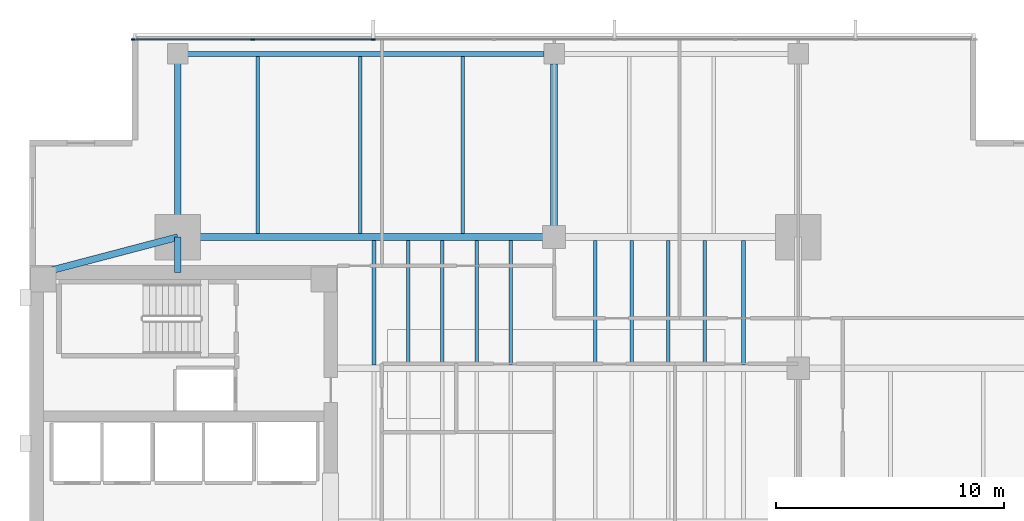
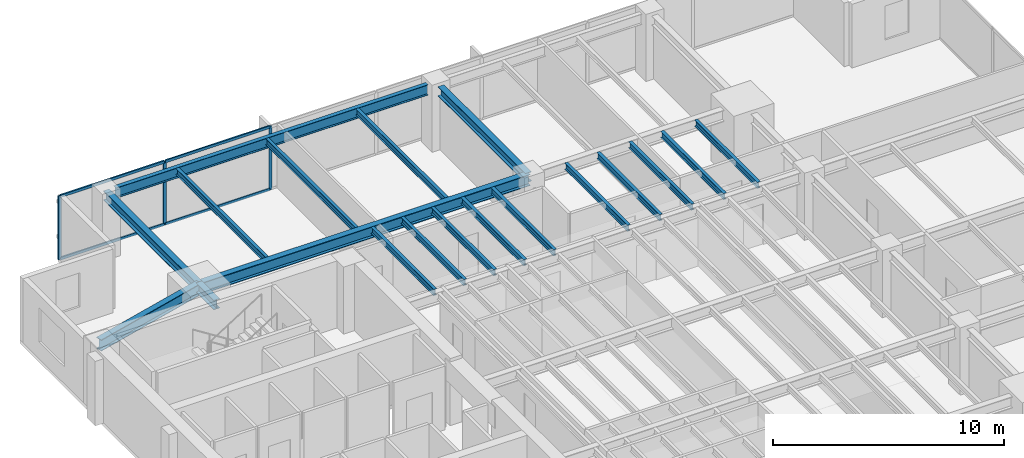
# One storey, part 5 of 14: 19 beams, 7 members, 1 element without a shape of its own.
"""IFC4 building model written with IfcOpenShell, lengths in metres."""

from ifc_helpers import new_model, si_unit, direction, frame, origin, origin_2d, place, context, subcontext, project, spatial, rectangle, i_section, extrude, material, layer, layer_set, material_profile, profile_set, type_object, element, aggregate, save


model = new_model("IFC4")

# Units and contexts
model_context = context("Model", 3, precision=1e-05, world=origin(), true_north=direction((0.0, 1.0)))
body_context = subcontext(model_context, "Body", "Model", "MODEL_VIEW")
ifc_project = project(units=[si_unit("LENGTHUNIT", "METRE"), si_unit("AREAUNIT", "SQUARE_METRE"), si_unit("VOLUMEUNIT", "CUBIC_METRE"), si_unit("PLANEANGLEUNIT", "RADIAN"), si_unit("MASSUNIT", "GRAM", prefix="KILO")], contexts=[model_context])

# Site, building, storey
site_placement = place(None, origin())
site = spatial("IfcSite", under=ifc_project, at=site_placement, CompositionType="ELEMENT")
building_placement = place(site_placement, origin())
building = spatial("IfcBuilding", under=site, at=building_placement, Name="Kinhvarn Gate Tower", CompositionType="ELEMENT")
storey_placement = place(building_placement, frame((0.0, 0.0, 120.0)))
storey = spatial("IfcBuildingStorey", under=building, at=storey_placement, Name="L31", CompositionType="ELEMENT", Elevation=120.0)

# Curtain wall, members
ifc_material_1 = material(Name="Anodised aluminium AW-6063", Category="aluminium")
ifc_layer = layer(ifc_material_1, 0.179931640625)
ifc_layer_set = layer_set([ifc_layer], Name="Anodised aluminium AW-6063")
curtain_wall_type = type_object("IfcCurtainWallType", Name="CW-SYS-3", PredefinedType="NOTDEFINED", material=ifc_layer_set)
curtain_wall_placement = place(storey_placement, origin())
curtain_wall = element("IfcCurtainWall", 1, at=curtain_wall_placement, inside=storey, type_object=curtain_wall_type, Name="Curtain Wall CW3 (L31)", PredefinedType="NOTDEFINED")
ifc_material_profile_1 = material_profile(ifc_material_1, rectangle(XDim=0.06494140625, YDim=0.159912109375, at=origin_2d()), Name="ALU 65x160")
ifc_profile_set_1 = profile_set([ifc_material_profile_1], Name="Anodised aluminium AW-6063")
member_type_1 = type_object("IfcMemberType", Name="CW-MUL-160", PredefinedType="MULLION", material=ifc_profile_set_1)
member_1_placement = place(storey_placement, frame((19.571533203125, 46.409912109375, 0.0), z_axis=(0.0, 0.0, 1.0), x_axis=(0.0, -1.0, 0.0)))
member_1 = element("IfcMember", 2, at=member_1_placement, type_object=member_type_1, Name="CW3 mullion 6", PredefinedType="MULLION", context=body_context, shape_type="SweptSolid", body=[
    extrude(rectangle(XDim=0.06494140625, YDim=0.159912109375, at=origin_2d()), origin(), (0.0, 0.0, 1.0), 3.3701171875),
])
member_2_placement = place(storey_placement, frame((14.28564453125, 46.409912109375, 0.0), z_axis=(0.0, 0.0, 1.0), x_axis=(0.0, -1.0, 0.0)))
member_2 = element("IfcMember", 3, at=member_2_placement, type_object=member_type_1, Name="CW3 mullion 7", PredefinedType="MULLION", context=body_context, shape_type="SweptSolid", body=[
    extrude(rectangle(XDim=0.06494140625, YDim=0.159912109375, at=origin_2d()), origin(), (0.0, 0.0, 1.0), 3.3701171875),
])
member_3_placement = place(storey_placement, frame((9.032470703125, 46.409912109375, 0.0), z_axis=(0.0, 0.0, 1.0), x_axis=(0.0, -1.0, 0.0)))
member_3 = element("IfcMember", 4, at=member_3_placement, type_object=member_type_1, Name="CW3 mullion 8", PredefinedType="MULLION", context=body_context, shape_type="SweptSolid", body=[
    extrude(rectangle(XDim=0.06494140625, YDim=0.159912109375, at=origin_2d()), origin(), (0.0, 0.0, 1.0), 3.3701171875),
])
ifc_material_profile_2 = material_profile(ifc_material_1, rectangle(XDim=0.070068359375, YDim=0.139892578125, at=origin_2d()), Name="ALU 70x140")
ifc_profile_set_2 = profile_set([ifc_material_profile_2], Name="Anodised aluminium AW-6063")
member_type_2 = type_object("IfcMemberType", Name="CW-TRN-140", PredefinedType="USERDEFINED", material=ifc_profile_set_2)
member_4_placement = place(storey_placement, frame((19.538818359375, 46.409912109375, 0.034912109375), z_axis=(-1.0, 0.0, 0.0), x_axis=(0.0, -1.0, 0.0)))
member_4 = element("IfcMember", 5, at=member_4_placement, type_object=member_type_2, Name="CW3 transom 6.1", ObjectType="TRANSOM", PredefinedType="USERDEFINED", context=body_context, shape_type="SweptSolid", body=[
    extrude(rectangle(XDim=0.070068359375, YDim=0.139892578125, at=origin_2d()), origin(), (0.0, 0.0, 1.0), 5.220703125),
])
member_5_placement = place(storey_placement, frame((19.538818359375, 46.409912109375, 3.3349609375), z_axis=(-1.0, 0.0, 0.0), x_axis=(0.0, -1.0, 0.0)))
member_5 = element("IfcMember", 6, at=member_5_placement, type_object=member_type_2, Name="CW3 transom 6.2", ObjectType="TRANSOM", PredefinedType="USERDEFINED", context=body_context, shape_type="SweptSolid", body=[
    extrude(rectangle(XDim=0.070068359375, YDim=0.139892578125, at=origin_2d()), origin(), (0.0, 0.0, 1.0), 5.220703125),
])
member_6_placement = place(storey_placement, frame((14.253173828125, 46.409912109375, 0.034912109375), z_axis=(-1.0, 0.0, 0.0), x_axis=(0.0, -1.0, 0.0)))
member_6 = element("IfcMember", 7, at=member_6_placement, type_object=member_type_2, Name="CW3 transom 7.1", ObjectType="TRANSOM", PredefinedType="USERDEFINED", context=body_context, shape_type="SweptSolid", body=[
    extrude(rectangle(XDim=0.070068359375, YDim=0.139892578125, at=origin_2d()), origin(), (0.0, 0.0, 1.0), 5.188232421875),
])
member_7_placement = place(storey_placement, frame((14.253173828125, 46.409912109375, 3.3349609375), z_axis=(-1.0, 0.0, 0.0), x_axis=(0.0, -1.0, 0.0)))
member_7 = element("IfcMember", 8, at=member_7_placement, type_object=member_type_2, Name="CW3 transom 7.2", ObjectType="TRANSOM", PredefinedType="USERDEFINED", context=body_context, shape_type="SweptSolid", body=[
    extrude(rectangle(XDim=0.070068359375, YDim=0.139892578125, at=origin_2d()), origin(), (0.0, 0.0, 1.0), 5.188232421875),
])
aggregate(curtain_wall, [member_1, member_2, member_3, member_4, member_5, member_6, member_7])

# Beams
ifc_material_2 = material(Name="Steel S355", Category="steel")
ifc_material_profile_3 = material_profile(ifc_material_2, i_section(OverallWidth=0.300048828125, OverallDepth=0.5, WebThickness=0.014404296875, FlangeThickness=0.028076171875, at=origin_2d()), Name="HEB 500")
ifc_profile_set_3 = profile_set([ifc_material_profile_3], Name="Steel S355")
beam_type_1 = type_object("IfcBeamType", Name="STL-HEB500", PredefinedType="BEAM", material=ifc_profile_set_3)
beam_1_placement = place(storey_placement, frame((11.0, 36.199951171875, 3.1201171875), z_axis=(0.0, 1.0, 0.0), x_axis=(-1.0, 0.0, 0.0)))
element("IfcBeam", 9, at=beam_1_placement, inside=storey, type_object=beam_type_1, Name="Floor Beam PG-14 (L31 MCW-CN)", PredefinedType="BEAM", context=body_context, shape_type="SweptSolid", body=[
    extrude(i_section(OverallWidth=0.300048828125, OverallDepth=0.5, WebThickness=0.014404296875, FlangeThickness=0.028076171875, at=origin_2d()), origin(), (0.0, 0.0, 1.0), 1.550048828125),
])
beam_2_placement = place(storey_placement, frame((11.0, 37.75, 3.1201171875), z_axis=(0.0, 1.0, 0.0), x_axis=(-1.0, 0.0, 0.0)))
element("IfcBeam", 10, at=beam_2_placement, inside=storey, type_object=beam_type_1, Name="Floor Beam PG-14 (L31 MCW-N)", PredefinedType="BEAM", context=body_context, shape_type="SweptSolid", body=[
    extrude(i_section(OverallWidth=0.300048828125, OverallDepth=0.5, WebThickness=0.014404296875, FlangeThickness=0.028076171875, at=origin_2d()), origin(), (0.0, 0.0, 1.0), 8.030029296875),
])
beam_3_placement = place(storey_placement, frame((27.5, 37.75, 3.1201171875), z_axis=(0.0, 1.0, 0.0), x_axis=(-1.0, 0.0, 0.0)))
element("IfcBeam", 11, at=beam_3_placement, inside=storey, type_object=beam_type_1, Name="Floor Beam PG-14 (L31 SP27-N-TIE)", PredefinedType="BEAM", context=body_context, shape_type="SweptSolid", body=[
    extrude(i_section(OverallWidth=0.300048828125, OverallDepth=0.5, WebThickness=0.014404296875, FlangeThickness=0.028076171875, at=origin_2d()), origin(), (0.0, 0.0, 1.0), 7.594970703125),
])
ifc_material_profile_4 = material_profile(ifc_material_2, i_section(OverallWidth=0.300048828125, OverallDepth=0.60009765625, WebThickness=0.015380859375, FlangeThickness=0.030029296875, at=origin_2d()), Name="HEB 600")
ifc_profile_set_4 = profile_set([ifc_material_profile_4], Name="Steel S355")
beam_type_2 = type_object("IfcBeamType", Name="STL-HEB600", PredefinedType="BEAM", material=ifc_profile_set_4)
beam_4_placement = place(storey_placement, frame((11.0, 37.75, 3.070068359375), z_axis=(1.0, 0.0, 0.0), x_axis=(0.0, 1.0, 0.0)))
element("IfcBeam", 12, at=beam_4_placement, inside=storey, type_object=beam_type_2, Name="Floor Beam PG-16 (L31 MG-N1)", PredefinedType="BEAM", context=body_context, shape_type="SweptSolid", body=[
    extrude(i_section(OverallWidth=0.300048828125, OverallDepth=0.60009765625, WebThickness=0.015380859375, FlangeThickness=0.030029296875, at=origin_2d()), origin(), (0.0, 0.0, 1.0), 16.5),
])
beam_5_placement = place(storey_placement, frame((5.10009765625, 36.199951171875, 3.070068359375), z_axis=(0.967177623957, 0.254101246979, 0.0), x_axis=(-0.254101246979, 0.967177623957, 0.0)))
element("IfcBeam", 13, at=beam_5_placement, inside=storey, type_object=beam_type_2, Name="Floor Beam PG-16 (L31 MG-NW-DIAG)", PredefinedType="BEAM", context=body_context, shape_type="SweptSolid", body=[
    extrude(i_section(OverallWidth=0.300048828125, OverallDepth=0.60009765625, WebThickness=0.015380859375, FlangeThickness=0.030029296875, at=origin_2d()), origin(), (0.0, 0.0, 1.0), 6.10009765625),
])
ifc_material_profile_5 = material_profile(ifc_material_2, i_section(OverallWidth=0.159912109375, OverallDepth=0.330078125, WebThickness=0.007568359375, FlangeThickness=0.011474609375, at=origin_2d()), Name="IPE 330")
ifc_profile_set_5 = profile_set([ifc_material_profile_5], Name="Steel S355")
beam_type_3 = type_object("IfcBeamType", Name="STL-IPE330", PredefinedType="JOIST", material=ifc_profile_set_5)
for number, where, z_axis, x_axis, name in (
    (14, (19.60009765625, 32.14990234375, 3.205078125), (0.0, 1.0, 0.0), (-1.0, 0.0, 0.0), "Floor Joist SB-03 (L31 JC-X196-3)"),
    (15, (21.10009765625, 32.14990234375, 3.205078125), (0.0, 1.0, 0.0), (-1.0, 0.0, 0.0), "Floor Joist SB-03 (L31 JC-X211-3)"),
    (16, (22.60009765625, 32.14990234375, 3.205078125), (0.0, 1.0, 0.0), (-1.0, 0.0, 0.0), "Floor Joist SB-03 (L31 JC-X226-3)"),
    (17, (24.10009765625, 32.14990234375, 3.205078125), (0.0, 1.0, 0.0), (-1.0, 0.0, 0.0), "Floor Joist SB-03 (L31 JC-X241-3)"),
    (18, (25.60009765625, 32.14990234375, 3.205078125), (0.0, 1.0, 0.0), (-1.0, 0.0, 0.0), "Floor Joist SB-03 (L31 JC-X256-3)"),
    (19, (29.300048828125, 32.14990234375, 3.205078125), (0.0, 1.0, 0.0), (-1.0, 0.0, 0.0), "Floor Joist SB-03 (L31 JC-X293-3)"),
    (20, (30.89990234375, 32.14990234375, 3.205078125), (0.0, 1.0, 0.0), (-1.0, 0.0, 0.0), "Floor Joist SB-03 (L31 JC-X309-3)"),
    (21, (32.5, 32.14990234375, 3.205078125), (0.0, 1.0, 0.0), (-1.0, 0.0, 0.0), "Floor Joist SB-03 (L31 JC-X325-3)"),
    (22, (34.10009765625, 32.14990234375, 3.205078125), (0.0, 1.0, 0.0), (-1.0, 0.0, 0.0), "Floor Joist SB-03 (L31 JC-X341-3)"),
    (23, (35.800048828125, 32.14990234375, 3.205078125), (0.0, 1.0, 0.0), (-1.0, 0.0, 0.0), "Floor Joist SB-03 (L31 JC-X358-3)"),
):
    element("IfcBeam", number, at=place(storey_placement, frame(where, z_axis=z_axis, x_axis=x_axis)), inside=storey, type_object=beam_type_3, Name=name, PredefinedType="JOIST", context=body_context, shape_type="SweptSolid", body=[
        extrude(i_section(OverallWidth=0.159912109375, OverallDepth=0.330078125, WebThickness=0.007568359375, FlangeThickness=0.011474609375, at=origin_2d()), origin(), (0.0, 0.0, 1.0), 5.4501953125),
    ])
for number, where, z_axis, x_axis, name in (
    (24, (14.5, 37.89990234375, 3.205078125), (0.0, 1.0, 0.0), (-1.0, 0.0, 0.0), "Floor Joist SB-03 (L31 JN-X145)"),
    (25, (19.0, 37.89990234375, 3.205078125), (0.0, 1.0, 0.0), (-1.0, 0.0, 0.0), "Floor Joist SB-03 (L31 JN-X190)"),
    (26, (23.5, 37.89990234375, 3.205078125), (0.0, 1.0, 0.0), (-1.0, 0.0, 0.0), "Floor Joist SB-03 (L31 JN-X235)"),
):
    element("IfcBeam", number, at=place(storey_placement, frame(where, z_axis=z_axis, x_axis=x_axis)), inside=storey, type_object=beam_type_3, Name=name, PredefinedType="JOIST", context=body_context, shape_type="SweptSolid", body=[
        extrude(i_section(OverallWidth=0.159912109375, OverallDepth=0.330078125, WebThickness=0.007568359375, FlangeThickness=0.011474609375, at=origin_2d()), origin(), (0.0, 0.0, 1.0), 7.775146484375),
    ])
ifc_material_profile_6 = material_profile(ifc_material_2, i_section(OverallWidth=0.2099609375, OverallDepth=0.550048828125, WebThickness=0.010986328125, FlangeThickness=0.01708984375, at=origin_2d()), Name="IPE 550")
ifc_profile_set_6 = profile_set([ifc_material_profile_6], Name="Steel S355")
beam_type_4 = type_object("IfcBeamType", Name="STL-IPE550", PredefinedType="SPANDREL", material=ifc_profile_set_6)
beam_6_placement = place(storey_placement, frame((11.43505859375, 45.780029296875, 3.094970703125), z_axis=(1.0, 0.0, 0.0), x_axis=(0.0, 1.0, 0.0)))
element("IfcBeam", 27, at=beam_6_placement, inside=storey, type_object=beam_type_4, Name="Floor Spandrel SB-08 (L31 SP-N1)", PredefinedType="SPANDREL", context=body_context, shape_type="SweptSolid", body=[
    extrude(i_section(OverallWidth=0.2099609375, OverallDepth=0.550048828125, WebThickness=0.010986328125, FlangeThickness=0.01708984375, at=origin_2d()), origin(), (0.0, 0.0, 1.0), 15.6298828125),
])

save(model, "model.ifc")
